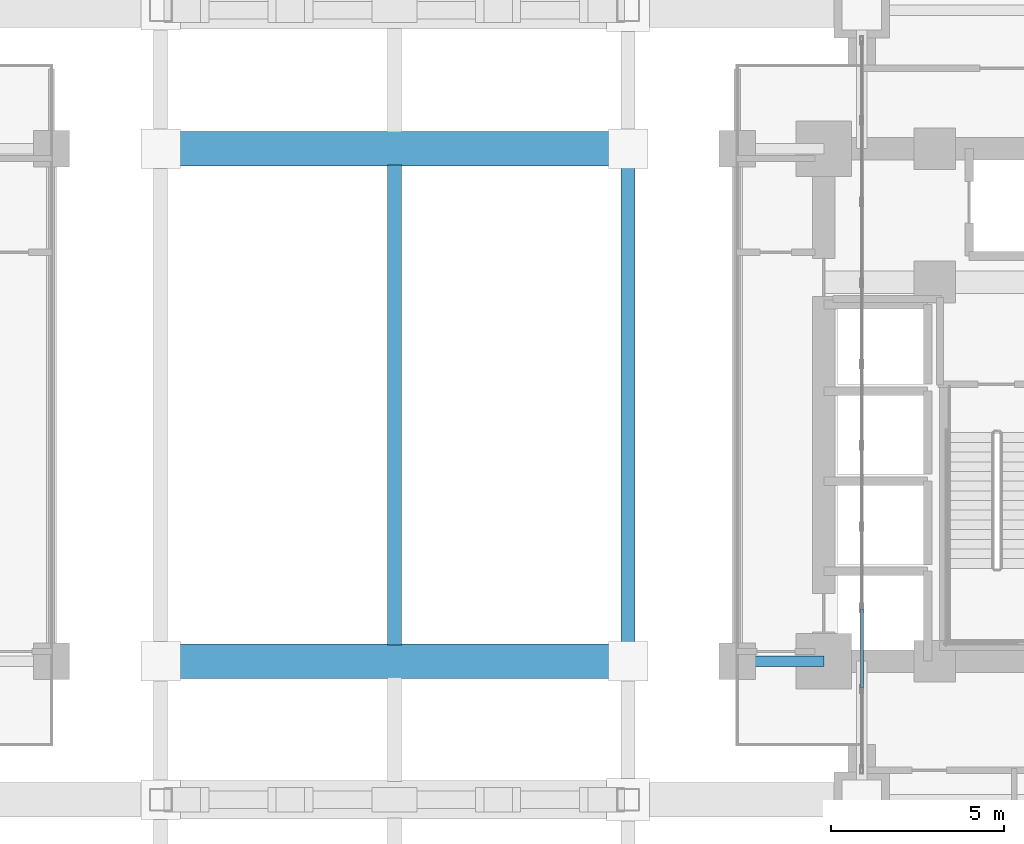
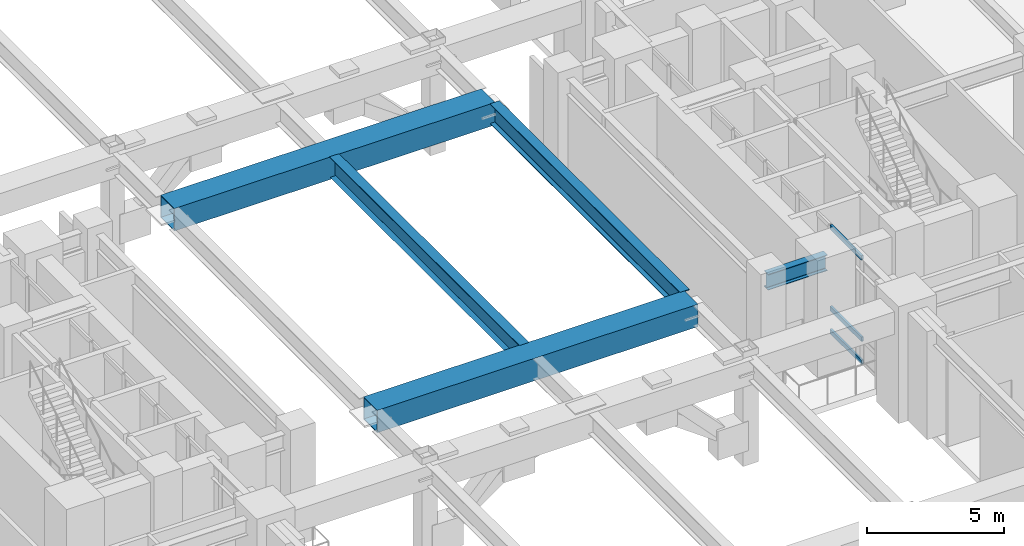
# One storey, part 7 of 26: 5 beams, 3 members, 1 element without a shape of its own.
"""IFC4 building model written with IfcOpenShell, lengths in metres."""

import ifcopenshell
import ifcopenshell.guid

model = None  # the IFC model being written
_history = None  # IfcOwnerHistory: only IFC2X3 demands one
_inside = {}  # id of a spatial element -> (the spatial element, [elements in it])
_under = {}  # id of a project, library or spatial element -> (it, [spatial elements below it])
_declared = {}  # id of a project -> (the project, [libraries it declares])
_typed = {}  # id of a type object -> (the type object, [elements of that type])
_made_of = {}  # id of a material, layer set ... -> (it, [elements and type objects made of it])


def new_model(schema):
    """Start an empty IFC model of exactly this schema.

    Asked for "IFC4X3", IfcOpenShell would pick the latest addendum, in which some entities
    have other attributes; the version numbers below select the first issue.
    IFC2X3 requires an IfcOwnerHistory on every rooted entity: one is made here for all.
    """
    global model, _history
    if schema == "IFC4X3":
        model = ifcopenshell.file(schema_version=(4, 3, 0, 0))
    else:
        model = ifcopenshell.file(schema=schema)
    _inside.clear()
    _under.clear()
    _declared.clear()
    _typed.clear()
    _made_of.clear()
    _history = None
    if model.schema == "IFC2X3":
        org = make("IfcOrganization", Name="unknown")
        user = make(
            "IfcPersonAndOrganization",
            ThePerson=make("IfcPerson", FamilyName="unknown"),
            TheOrganization=org,
        )
        app = make(
            "IfcApplication",
            ApplicationDeveloper=org,
            Version="unknown",
            ApplicationFullName="unknown",
            ApplicationIdentifier="unknown",
        )
        _history = make(
            "IfcOwnerHistory",
            OwningUser=user,
            OwningApplication=app,
            ChangeAction="ADDED",
            CreationDate=0,
        )
    return model


def make(cls, **values):
    """One entity of the class cls with the attributes given. An attribute that is None is left unset."""
    return model.create_entity(
        cls, **{name: value for name, value in values.items() if value is not None}
    )


def rooted(cls, **values):
    """An entity with a GlobalId (a new one), such as an element, a storey or a relation."""
    return make(cls, GlobalId=ifcopenshell.guid.new(), OwnerHistory=_history, **values)


def si_unit(unit_type, name, prefix=None):
    """IfcSIUnit, for example si_unit("LENGTHUNIT", "METRE", prefix="MILLI")."""
    return make("IfcSIUnit", UnitType=unit_type, Prefix=prefix, Name=name)


def assignment(units):
    """IfcUnitAssignment: the units of a project."""
    return None if units is None else make("IfcUnitAssignment", Units=units)


def point(xyz):
    """IfcCartesianPoint."""
    return None if xyz is None else make("IfcCartesianPoint", Coordinates=xyz)


def direction(xyz):
    """IfcDirection."""
    return None if xyz is None else make("IfcDirection", DirectionRatios=xyz)


def frame(location, z_axis=None, x_axis=None):
    """IfcAxis2Placement3D, a coordinate frame: its origin and axes. An axis left out is left unset."""
    return make(
        "IfcAxis2Placement3D",
        Location=point(location),
        Axis=direction(z_axis),
        RefDirection=direction(x_axis),
    )


def frame_2d(location, x_axis=None):
    """IfcAxis2Placement2D, a coordinate frame in the plane: its origin and x axis."""
    return make(
        "IfcAxis2Placement2D", Location=point(location), RefDirection=direction(x_axis)
    )


def origin():
    """The frame at (0, 0, 0) with its axes left unset."""
    return frame((0.0, 0.0, 0.0))


def origin_2d():
    """The frame at (0, 0) in the plane with its x axis left unset."""
    return frame_2d((0.0, 0.0))


def place(relative_to, where):
    """IfcLocalPlacement: puts the frame where relative to a parent placement (None: the world)."""
    return make(
        "IfcLocalPlacement", PlacementRelTo=relative_to, RelativePlacement=where
    )


def context(
    kind, dimensions, precision=None, world=None, true_north=None, identifier=None
):
    """IfcGeometricRepresentationContext, for example the 3D "Model" context."""
    return make(
        "IfcGeometricRepresentationContext",
        ContextIdentifier=identifier,
        ContextType=kind,
        CoordinateSpaceDimension=dimensions,
        Precision=precision,
        WorldCoordinateSystem=world,
        TrueNorth=true_north,
    )


def subcontext(parent, identifier, kind, view, scale=None):
    """IfcGeometricRepresentationSubContext, for example "Body" below "Model"."""
    return make(
        "IfcGeometricRepresentationSubContext",
        ContextIdentifier=identifier,
        ContextType=kind,
        ParentContext=parent,
        TargetScale=scale,
        TargetView=view,
    )


def project(units=None, contexts=None):
    """IfcProject with its units and contexts."""
    return rooted(
        "IfcProject",
        Name="project",
        RepresentationContexts=contexts,
        UnitsInContext=assignment(units),
    )


def spatial(cls, under=None, at=None, **own):
    """A site, building, storey or space (cls), placed at a placement, below another one or the project."""
    s = rooted(cls, ObjectPlacement=at, **own)
    if under is not None:
        _under.setdefault(under.id(), (under, []))[1].append(s)
    return s


def profile(cls, at=None, kind="AREA", **sizes):
    """A parametric profile (cls). Its sizes go by their IFC names, for example OverallWidth=200.0."""
    return make(cls, ProfileType=kind, Position=at, **sizes)


def hollow_rectangle(**sizes):
    """IfcRectangleHollowProfileDef."""
    return profile("IfcRectangleHollowProfileDef", **sizes)


def i_section(**sizes):
    """IfcIShapeProfileDef."""
    return profile("IfcIShapeProfileDef", **sizes)


def extrude(swept, where, along, depth):
    """IfcExtrudedAreaSolid: the profile swept, set in the frame where, extruded along a direction by depth."""
    return make(
        "IfcExtrudedAreaSolid",
        SweptArea=swept,
        Position=where,
        ExtrudedDirection=direction(along),
        Depth=depth,
    )


def shape(context_of_items, identifier, shape_type, items):
    """IfcShapeRepresentation: the items that make up one representation, for example the "Body"."""
    return make(
        "IfcShapeRepresentation",
        ContextOfItems=context_of_items,
        RepresentationIdentifier=identifier,
        RepresentationType=shape_type,
        Items=items,
    )


def material(Name=None, Category=None):
    """IfcMaterial."""
    return make("IfcMaterial", Name=Name, Category=Category)


def layer(
    of_material, thickness, ventilated=None, Name=None, Category=None, Priority=None
):
    """IfcMaterialLayer: one layer of a wall or slab, of a material (None: an air gap)."""
    return make(
        "IfcMaterialLayer",
        Material=of_material,
        LayerThickness=thickness,
        IsVentilated=ventilated,
        Name=Name,
        Category=Category,
        Priority=Priority,
    )


def layer_set(layers, Name=None):
    """IfcMaterialLayerSet."""
    return make("IfcMaterialLayerSet", MaterialLayers=layers, LayerSetName=Name)


def material_profile(
    of_material, cross_section, Name=None, Category=None, Priority=None
):
    """IfcMaterialProfile: a cross section and its material."""
    return make(
        "IfcMaterialProfile",
        Name=Name,
        Material=of_material,
        Profile=cross_section,
        Priority=Priority,
        Category=Category,
    )


def profile_set(profiles, Name=None, composite=None):
    """IfcMaterialProfileSet."""
    return make(
        "IfcMaterialProfileSet",
        Name=Name,
        MaterialProfiles=profiles,
        CompositeProfile=composite,
    )


def made_of(thing, what):
    """Note that an element or type object is made of a material, layer set ...; save() writes the relation."""
    if what is not None:
        _made_of.setdefault(what.id(), (what, []))[1].append(thing)
    return thing


def type_object(cls, material=None, **own):
    """A type object (cls), such as IfcWallType, which elements share."""
    return made_of(rooted(cls, **own), material)


def element(
    cls,
    number,
    at=None,
    inside=None,
    cuts=None,
    type_object=None,
    material=None,
    context=None,
    identifier="Body",
    shape_type=None,
    held_by="IfcProductDefinitionShape",
    body=None,
    shapes=None,
    **own,
):
    """One element of the class cls, such as IfcWall. Its Tag is "e" and its number.

    at: its placement. inside: the storey or other place that contains it. cuts: it is an
    opening in that element (IfcRelVoidsElement). A single representation is given by context,
    identifier, shape_type and body (its items); several are given by shapes. held_by: the class
    of the entity that holds the representations. save() writes the other relations.
    """
    e = rooted(cls, Tag="e%d" % number, ObjectPlacement=at, **own)
    if body is not None:
        shapes = [shape(context, identifier, shape_type, body)]
    if shapes is not None:
        e.Representation = make(held_by, Representations=shapes)
    if inside is not None:
        _inside.setdefault(inside.id(), (inside, []))[1].append(e)
    if cuts is not None:
        rooted(
            "IfcRelVoidsElement", RelatingBuildingElement=cuts, RelatedOpeningElement=e
        )
    if type_object is not None:
        _typed.setdefault(type_object.id(), (type_object, []))[1].append(e)
    return made_of(e, material)


def aggregate(whole, parts):
    """IfcRelAggregates: a whole, such as a stair, and the parts it consists of."""
    return rooted("IfcRelAggregates", RelatingObject=whole, RelatedObjects=parts)


def save(model, path):
    """Write the relations noted so far, then the file.

    IfcRelAggregates (storeys below a building ...), IfcRelContainedInSpatialStructure (elements
    in a storey), IfcRelDefinesByType, IfcRelAssociatesMaterial and IfcRelDeclares: one each for
    every whole, place, type object, material and project.
    """
    for whole, parts in _under.values():
        aggregate(whole, parts)
    for where, things in _inside.values():
        rooted(
            "IfcRelContainedInSpatialStructure",
            RelatedElements=things,
            RelatingStructure=where,
        )
    for kind, things in _typed.values():
        rooted("IfcRelDefinesByType", RelatedObjects=things, RelatingType=kind)
    for what, things in _made_of.values():
        rooted("IfcRelAssociatesMaterial", RelatedObjects=things, RelatingMaterial=what)
    for by, libraries in _declared.values():
        rooted("IfcRelDeclares", RelatingContext=by, RelatedDefinitions=libraries)
    model.write(path)


model = new_model("IFC4")

# Units and contexts
model_context = context("Model", 3, precision=1e-05, world=origin(), true_north=direction((0.0, 1.0)))
body_context = subcontext(model_context, "Body", "Model", "MODEL_VIEW")
ifc_project = project(units=[si_unit("LENGTHUNIT", "METRE"), si_unit("AREAUNIT", "SQUARE_METRE"), si_unit("VOLUMEUNIT", "CUBIC_METRE"), si_unit("PLANEANGLEUNIT", "RADIAN"), si_unit("MASSUNIT", "GRAM", prefix="KILO")], contexts=[model_context])

# Site, building, storey
site_placement = place(None, origin())
site = spatial("IfcSite", under=ifc_project, at=site_placement, CompositionType="ELEMENT")
building_placement = place(site_placement, origin())
building = spatial("IfcBuilding", under=site, at=building_placement, Name="Voryun Gate Residences", CompositionType="ELEMENT")
storey_placement = place(building_placement, frame((0.0, 0.0, 15.60009765625)))
storey = spatial("IfcBuildingStorey", under=building, at=storey_placement, Name="L03", CompositionType="ELEMENT", Elevation=15.60009765625)

# Beams
ifc_material_1 = material(Name="Steel SM420", Category="steel")
ifc_material_profile_1 = material_profile(ifc_material_1, hollow_rectangle(XDim=1.0, YDim=1.0, WallThickness=0.031982421875, at=origin_2d()), Name="BOX-1000x1000x32")
ifc_profile_set_1 = profile_set([ifc_material_profile_1], Name="Steel SM420")
beam_type_1 = type_object("IfcBeamType", Name="BM_ARCH_TIE", PredefinedType="USERDEFINED", material=ifc_profile_set_1)
for number, where, z_axis, x_axis, name in (
    (1, (-6.75, -7.39990234375, 4.2998046875), (1.0, 0.0, 0.0), (0.0, 1.0, 0.0), "BM-L03-ARCH-EDGE--7.4-1"),
    (2, (-6.75, 7.39990234375, 4.2998046875), (1.0, 0.0, 0.0), (0.0, 1.0, 0.0), "BM-L03-ARCH-EDGE-+7.4-1"),
):
    element("IfcBeam", number, at=place(storey_placement, frame(where, z_axis=z_axis, x_axis=x_axis)), inside=storey, type_object=beam_type_1, Name=name, ObjectType="GIRDER", PredefinedType="USERDEFINED", context=body_context, shape_type="SweptSolid", body=[
        extrude(hollow_rectangle(XDim=1.0, YDim=1.0, WallThickness=0.031982421875, at=origin_2d()), origin(), (0.0, 0.0, 1.0), 13.5),
    ])
ifc_material_2 = material(Name="Steel SM355", Category="steel")
ifc_material_profile_2 = material_profile(ifc_material_2, i_section(OverallWidth=0.300048828125, OverallDepth=0.699951171875, WebThickness=0.012939453125, FlangeThickness=0.02392578125, FilletRadius=0.01806640625, at=origin_2d()), Name="H-700x300x13x24")
ifc_profile_set_2 = profile_set([ifc_material_profile_2], Name="Steel SM355")
beam_type_2 = type_object("IfcBeamType", Name="BM_GIRD_700", PredefinedType="USERDEFINED", material=ifc_profile_set_2)
beam_placement = place(storey_placement, frame((12.39990234375, -7.39990234375, 4.449951171875), z_axis=(-1.0, 0.0, 0.0), x_axis=(0.0, -1.0, 0.0)))
element("IfcBeam", 3, at=beam_placement, inside=storey, type_object=beam_type_2, Name="BM-L03-CLRX-CLR-ES", ObjectType="GIRDER", PredefinedType="USERDEFINED", context=body_context, shape_type="SweptSolid", body=[
    extrude(i_section(OverallWidth=0.300048828125, OverallDepth=0.699951171875, WebThickness=0.012939453125, FlangeThickness=0.02392578125, FilletRadius=0.01806640625, at=origin_2d()), origin(), (0.0, 0.0, 1.0), 2.5),
])
ifc_material_3 = material(Name="Steel SM420", Category="steel")
ifc_material_profile_3 = material_profile(ifc_material_3, i_section(OverallWidth=0.39990234375, OverallDepth=0.89990234375, WebThickness=0.01806640625, FlangeThickness=0.031982421875, FilletRadius=0.01806640625, at=origin_2d()), Name="H-900x400x18x32")
ifc_profile_set_3 = profile_set([ifc_material_profile_3], Name="Steel SM420")
beam_type_3 = type_object("IfcBeamType", Name="BM_POD_TRUSS_CHD", PredefinedType="USERDEFINED", material=ifc_profile_set_3)
for number, where, z_axis, x_axis, name in (
    (4, (0.0, -6.925048828125, 4.349853515625), (0.0, 1.0, 0.0), (-1.0, 0.0, 0.0), "BM-L03-ARCH-XDECK-M-+0.00"),
    (5, (6.75, -6.925048828125, 4.349853515625), (0.0, 1.0, 0.0), (-1.0, 0.0, 0.0), "BM-L03-ARCH-XDECK-M-+6.75"),
):
    element("IfcBeam", number, at=place(storey_placement, frame(where, z_axis=z_axis, x_axis=x_axis)), inside=storey, type_object=beam_type_3, Name=name, ObjectType="GIRDER", PredefinedType="USERDEFINED", context=body_context, shape_type="SweptSolid", body=[
        extrude(i_section(OverallWidth=0.39990234375, OverallDepth=0.89990234375, WebThickness=0.01806640625, FlangeThickness=0.031982421875, FilletRadius=0.01806640625, at=origin_2d()), origin(), (0.0, 0.0, 1.0), 13.85009765625),
    ])

# Curtain wall, members
ifc_material_4 = material(Name="Anodised aluminium", Category="aluminium")
ifc_layer = layer(ifc_material_4, 0.239990234375, Name="CW_SYS_ARCH_DARK_GLASS")
ifc_layer_set = layer_set([ifc_layer], Name="Anodised aluminium")
curtain_wall_type = type_object("IfcCurtainWallType", Name="CW_SYS_ARCH_DARK_GLASS", PredefinedType="NOTDEFINED", material=ifc_layer_set)
curtain_wall_placement = place(storey_placement, origin())
curtain_wall = element("IfcCurtainWall", 6, at=curtain_wall_placement, inside=storey, type_object=curtain_wall_type, Name="Curtain wall CW2-L03-EP-M", PredefinedType="NOTDEFINED")
ifc_material_5 = material(Name="Anodised aluminium", Category="aluminium")
ifc_material_profile_4 = material_profile(ifc_material_5, hollow_rectangle(XDim=0.090087890625, YDim=0.199951171875, WallThickness=0.006103515625, at=origin_2d()), Name="ALU-TRAN-200x90x6")
ifc_profile_set_4 = profile_set([ifc_material_profile_4], Name="Anodised aluminium")
member_type = type_object("IfcMemberType", Name="CW_TRAN_ARCH", PredefinedType="USERDEFINED", material=ifc_profile_set_4)
member_1_placement = place(storey_placement, frame((13.5, -8.179443359375, 0.02978515625), z_axis=(0.0, 1.0, 0.0), x_axis=(-1.0, 0.0, 0.0)))
member_1 = element("IfcMember", 7, at=member_1_placement, type_object=member_type, Name="CW2 transom 2.1", ObjectType="TRANSOM", PredefinedType="USERDEFINED", context=body_context, shape_type="SweptSolid", body=[
    extrude(hollow_rectangle(XDim=0.090087890625, YDim=0.199951171875, WallThickness=0.006103515625, at=origin_2d()), origin(), (0.0, 0.0, 1.0), 2.28564453125),
])
member_2_placement = place(storey_placement, frame((13.5, -8.179443359375, 1.0498046875), z_axis=(0.0, 1.0, 0.0), x_axis=(-1.0, 0.0, 0.0)))
member_2 = element("IfcMember", 8, at=member_2_placement, type_object=member_type, Name="CW2 transom 2.2", ObjectType="TRANSOM", PredefinedType="USERDEFINED", context=body_context, shape_type="SweptSolid", body=[
    extrude(hollow_rectangle(XDim=0.090087890625, YDim=0.199951171875, WallThickness=0.006103515625, at=origin_2d()), origin(), (0.0, 0.0, 1.0), 2.28564453125),
])
member_3_placement = place(storey_placement, frame((13.5, -8.179443359375, 4.669921875), z_axis=(0.0, 1.0, 0.0), x_axis=(-1.0, 0.0, 0.0)))
member_3 = element("IfcMember", 9, at=member_3_placement, type_object=member_type, Name="CW2 transom 2.3", ObjectType="TRANSOM", PredefinedType="USERDEFINED", context=body_context, shape_type="SweptSolid", body=[
    extrude(hollow_rectangle(XDim=0.090087890625, YDim=0.199951171875, WallThickness=0.006103515625, at=origin_2d()), origin(), (0.0, 0.0, 1.0), 2.28564453125),
])
aggregate(curtain_wall, [member_1, member_2, member_3])

save(model, "model.ifc")
